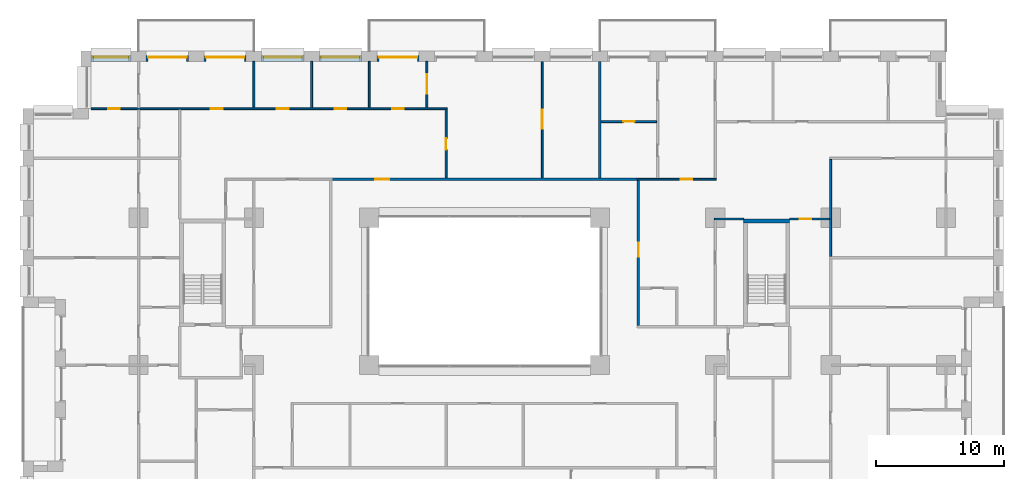
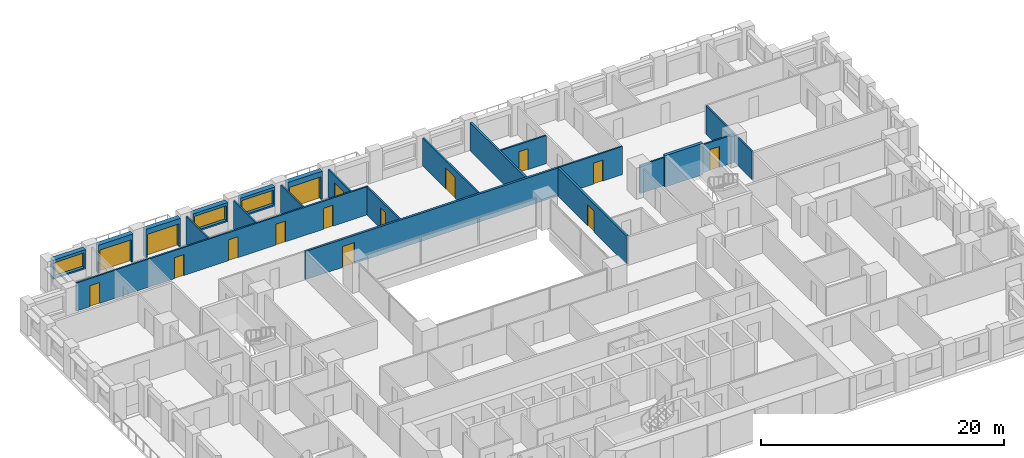
# One storey, part 15 of 20: 22 walls, 16 doors, 3 windows, 19 openings.
"""IFC4 building model written with IfcOpenShell, lengths in metres."""

from ifc_helpers import new_model, si_unit, direction, frame, frame_2d, origin, place, context, subcontext, project, spatial, rectangle, extrude, material, layer, layer_set, type_object, element, fill, save


model = new_model("IFC4")

# Units and contexts
model_context = context("Model", 3, precision=1e-05, world=origin(), true_north=direction((0.0, 1.0)))
body_context = subcontext(model_context, "Body", "Model", "MODEL_VIEW")
ifc_project = project(units=[si_unit("LENGTHUNIT", "METRE"), si_unit("AREAUNIT", "SQUARE_METRE"), si_unit("VOLUMEUNIT", "CUBIC_METRE"), si_unit("PLANEANGLEUNIT", "RADIAN"), si_unit("MASSUNIT", "GRAM", prefix="KILO")], contexts=[model_context])

# Site, building, storey
site_placement = place(None, origin())
site = spatial("IfcSite", under=ifc_project, at=site_placement, CompositionType="ELEMENT")
building_placement = place(site_placement, origin())
building = spatial("IfcBuilding", under=site, at=building_placement, Name="Brigalow Station Residences", CompositionType="ELEMENT")
storey_placement = place(building_placement, frame((0.0, 0.0, 57.300048828125)))
storey = spatial("IfcBuildingStorey", under=building, at=storey_placement, Name="L16", CompositionType="ELEMENT", Elevation=57.300048828125)

# Wall, opening, door
ifc_material_1 = material(Name="Clay brick masonry", Category="masonry")
ifc_layer_1 = layer(ifc_material_1, 0.449951171875)
ifc_layer_set_1 = layer_set([ifc_layer_1], Name="BRICK INFILL WALL 450")
wall_type_1 = type_object("IfcWallType", Name="BRICK INFILL WALL 450", PredefinedType="SOLIDWALL", material=ifc_layer_set_1)
wall_1_placement = place(storey_placement, frame((30.89990234375, 47.925048828125, 0.0), z_axis=(0.0, 0.0, 1.0), x_axis=(-1.0, 0.0, 0.0)))
wall_1 = element("IfcWall", 1, at=wall_1_placement, inside=storey, type_object=wall_type_1, Name="L16/ewall/W-L16-34", PredefinedType="SOLIDWALL", context=body_context, shape_type="SweptSolid", body=[
    extrude(rectangle(XDim=3.2998046875, YDim=0.449951171875, at=frame_2d((1.64990234375, 0.0))), origin(), (0.0, 0.0, 1.0), 2.829833984375),
])
opening_1_placement = place(wall_1_placement, frame((0.14990234375, 0.0, 0.0)))
opening_1 = element("IfcOpeningElement", 2, at=opening_1_placement, cuts=wall_1, Name="Opening D-B3000", PredefinedType="OPENING", context=body_context, shape_type="SweptSolid", body=[
    extrude(rectangle(XDim=3.0, YDim=2.300048828125, at=frame_2d((1.5, 1.14990234375))), frame((0.0, 0.23486328125, 0.0), z_axis=(0.0, -1.0, 0.0), x_axis=(1.0, 0.0, 0.0)), (0.0, 0.0, 1.0), 0.469970703125),
])
ifc_material_2 = material(Name="Anodised aluminium frame with double glazing", Category="aluminium")
door_type_1 = type_object("IfcDoorType", Name="BALCONY SLIDING DOOR 3000x2300", OperationType="SLIDING_TO_LEFT", PredefinedType="DOOR", material=ifc_material_2)
door_1_placement = place(opening_1_placement, origin())
door_1 = element("IfcDoor", 3, at=door_1_placement, inside=storey, type_object=door_type_1, Name="L16/balcony-door/W-L16-34", OperationType="SLIDING_TO_LEFT", OverallHeight=2.300048828125, OverallWidth=3.0, PredefinedType="DOOR", context=body_context, shape_type="SweptSolid", body=[
    extrude(rectangle(XDim=3.0, YDim=2.300048828125, at=frame_2d((1.5, 1.14990234375))), frame((0.0, -0.06982421875, 0.0), z_axis=(0.0, -1.0, 0.0), x_axis=(1.0, 0.0, 0.0)), (0.0, 0.0, 1.0), 0.050048828125),
])
fill(opening_1, door_1)

# Wall, opening, window
wall_2_placement = place(storey_placement, frame((26.39990234375, 47.925048828125, 0.89990234375), z_axis=(0.0, 0.0, 1.0), x_axis=(-1.0, 0.0, 0.0)))
wall_2 = element("IfcWall", 4, at=wall_2_placement, inside=storey, type_object=wall_type_1, Name="L16/ewall/W-L16-35", PredefinedType="SOLIDWALL", context=body_context, shape_type="SweptSolid", body=[
    extrude(rectangle(XDim=3.2998046875, YDim=0.449951171875, at=frame_2d((1.64990234375, 0.0))), origin(), (0.0, 0.0, 1.0), 1.929931640625),
])
opening_2_placement = place(wall_2_placement, frame((0.14990234375, 0.0, 0.14990234375)))
opening_2 = element("IfcOpeningElement", 5, at=opening_2_placement, cuts=wall_2, Name="Opening WT-2", PredefinedType="OPENING", context=body_context, shape_type="SweptSolid", body=[
    extrude(rectangle(XDim=3.0, YDim=1.5, at=frame_2d((1.5, 0.75))), frame((0.0, 0.23486328125, 0.0), z_axis=(0.0, -1.0, 0.0), x_axis=(1.0, 0.0, 0.0)), (0.0, 0.0, 1.0), 0.469970703125),
])
ifc_material_3 = material(Name="Anodised aluminium frame with double glazing", Category="aluminium")
window_type_1 = type_object("IfcWindowType", Name="WINDOW 3000x1500", PartitioningType="SINGLE_PANEL", PredefinedType="WINDOW", material=ifc_material_3)
window_1_placement = place(opening_2_placement, origin())
window_1 = element("IfcWindow", 6, at=window_1_placement, inside=storey, type_object=window_type_1, Name="L16/window/W-L16-35", OverallHeight=1.5, OverallWidth=3.0, PartitioningType="SINGLE_PANEL", PredefinedType="WINDOW", context=body_context, shape_type="SweptSolid", body=[
    extrude(rectangle(XDim=3.0, YDim=1.5, at=frame_2d((1.5, 0.75))), frame((0.0, -0.06494140625, 0.0), z_axis=(0.0, -1.0, 0.0), x_axis=(1.0, 0.0, 0.0)), (0.0, 0.0, 1.0), 0.06005859375),
])
fill(opening_2, window_1)

wall_3_placement = place(storey_placement, frame((21.89990234375, 47.925048828125, 0.89990234375), z_axis=(0.0, 0.0, 1.0), x_axis=(-1.0, 0.0, 0.0)))
wall_3 = element("IfcWall", 7, at=wall_3_placement, inside=storey, type_object=wall_type_1, Name="L16/ewall/W-L16-36", PredefinedType="SOLIDWALL", context=body_context, shape_type="SweptSolid", body=[
    extrude(rectangle(XDim=3.2998046875, YDim=0.449951171875, at=frame_2d((1.64990234375, 0.0))), origin(), (0.0, 0.0, 1.0), 1.929931640625),
])
opening_3_placement = place(wall_3_placement, frame((0.14990234375, 0.0, 0.14990234375)))
opening_3 = element("IfcOpeningElement", 8, at=opening_3_placement, cuts=wall_3, Name="Opening WT-2", PredefinedType="OPENING", context=body_context, shape_type="SweptSolid", body=[
    extrude(rectangle(XDim=3.0, YDim=1.5, at=frame_2d((1.5, 0.75))), frame((0.0, 0.23486328125, 0.0), z_axis=(0.0, -1.0, 0.0), x_axis=(1.0, 0.0, 0.0)), (0.0, 0.0, 1.0), 0.469970703125),
])
window_2_placement = place(opening_3_placement, origin())
window_2 = element("IfcWindow", 9, at=window_2_placement, inside=storey, type_object=window_type_1, Name="L16/window/W-L16-36", OverallHeight=1.5, OverallWidth=3.0, PartitioningType="SINGLE_PANEL", PredefinedType="WINDOW", context=body_context, shape_type="SweptSolid", body=[
    extrude(rectangle(XDim=3.0, YDim=1.5, at=frame_2d((1.5, 0.75))), frame((0.0, -0.06494140625, 0.0), z_axis=(0.0, -1.0, 0.0), x_axis=(1.0, 0.0, 0.0)), (0.0, 0.0, 1.0), 0.06005859375),
])
fill(opening_3, window_2)

# Wall, opening, door
wall_4_placement = place(storey_placement, frame((17.39990234375, 47.925048828125, 0.0), z_axis=(0.0, 0.0, 1.0), x_axis=(-1.0, 0.0, 0.0)))
wall_4 = element("IfcWall", 10, at=wall_4_placement, inside=storey, type_object=wall_type_1, Name="L16/ewall/W-L16-37", PredefinedType="SOLIDWALL", context=body_context, shape_type="SweptSolid", body=[
    extrude(rectangle(XDim=3.2998046875, YDim=0.449951171875, at=frame_2d((1.64990234375, 0.0))), origin(), (0.0, 0.0, 1.0), 2.829833984375),
])
opening_4_placement = place(wall_4_placement, frame((0.14990234375, 0.0, 0.0)))
opening_4 = element("IfcOpeningElement", 11, at=opening_4_placement, cuts=wall_4, Name="Opening D-B3000", PredefinedType="OPENING", context=body_context, shape_type="SweptSolid", body=[
    extrude(rectangle(XDim=3.0, YDim=2.300048828125, at=frame_2d((1.5, 1.14990234375))), frame((0.0, 0.23486328125, 0.0), z_axis=(0.0, -1.0, 0.0), x_axis=(1.0, 0.0, 0.0)), (0.0, 0.0, 1.0), 0.469970703125),
])
door_2_placement = place(opening_4_placement, origin())
door_2 = element("IfcDoor", 12, at=door_2_placement, inside=storey, type_object=door_type_1, Name="L16/balcony-door/W-L16-37", OperationType="SLIDING_TO_LEFT", OverallHeight=2.300048828125, OverallWidth=3.0, PredefinedType="DOOR", context=body_context, shape_type="SweptSolid", body=[
    extrude(rectangle(XDim=3.0, YDim=2.300048828125, at=frame_2d((1.5, 1.14990234375))), frame((0.0, -0.06982421875, 0.0), z_axis=(0.0, -1.0, 0.0), x_axis=(1.0, 0.0, 0.0)), (0.0, 0.0, 1.0), 0.050048828125),
])
fill(opening_4, door_2)

wall_5_placement = place(storey_placement, frame((12.89990234375, 47.925048828125, 0.0), z_axis=(0.0, 0.0, 1.0), x_axis=(-1.0, 0.0, 0.0)))
wall_5 = element("IfcWall", 13, at=wall_5_placement, inside=storey, type_object=wall_type_1, Name="L16/ewall/W-L16-38", PredefinedType="SOLIDWALL", context=body_context, shape_type="SweptSolid", body=[
    extrude(rectangle(XDim=3.2998046875, YDim=0.449951171875, at=frame_2d((1.64990234375, 0.0))), origin(), (0.0, 0.0, 1.0), 2.829833984375),
])
opening_5_placement = place(wall_5_placement, frame((0.14990234375, 0.0, 0.0)))
opening_5 = element("IfcOpeningElement", 14, at=opening_5_placement, cuts=wall_5, Name="Opening D-B3000", PredefinedType="OPENING", context=body_context, shape_type="SweptSolid", body=[
    extrude(rectangle(XDim=3.0, YDim=2.300048828125, at=frame_2d((1.5, 1.14990234375))), frame((0.0, 0.23486328125, 0.0), z_axis=(0.0, -1.0, 0.0), x_axis=(1.0, 0.0, 0.0)), (0.0, 0.0, 1.0), 0.469970703125),
])
door_3_placement = place(opening_5_placement, origin())
door_3 = element("IfcDoor", 15, at=door_3_placement, inside=storey, type_object=door_type_1, Name="L16/balcony-door/W-L16-38", OperationType="SLIDING_TO_LEFT", OverallHeight=2.300048828125, OverallWidth=3.0, PredefinedType="DOOR", context=body_context, shape_type="SweptSolid", body=[
    extrude(rectangle(XDim=3.0, YDim=2.300048828125, at=frame_2d((1.5, 1.14990234375))), frame((0.0, -0.06982421875, 0.0), z_axis=(0.0, -1.0, 0.0), x_axis=(1.0, 0.0, 0.0)), (0.0, 0.0, 1.0), 0.050048828125),
])
fill(opening_5, door_3)

# Wall, opening, window
wall_6_placement = place(storey_placement, frame((8.39990234375, 47.925048828125, 0.89990234375), z_axis=(0.0, 0.0, 1.0), x_axis=(-1.0, 0.0, 0.0)))
wall_6 = element("IfcWall", 16, at=wall_6_placement, inside=storey, type_object=wall_type_1, Name="L16/ewall/W-L16-39", PredefinedType="SOLIDWALL", context=body_context, shape_type="SweptSolid", body=[
    extrude(rectangle(XDim=3.099853515625, YDim=0.449951171875, at=frame_2d((1.5498046875, 0.0))), origin(), (0.0, 0.0, 1.0), 1.929931640625),
])
opening_6_placement = place(wall_6_placement, frame((0.175048828125, 0.0, 0.14990234375)))
opening_6 = element("IfcOpeningElement", 17, at=opening_6_placement, cuts=wall_6, Name="Opening WT-3", PredefinedType="OPENING", context=body_context, shape_type="SweptSolid", body=[
    extrude(rectangle(XDim=2.75, YDim=1.5, at=frame_2d((1.375, 0.75))), frame((0.0, 0.23486328125, 0.0), z_axis=(0.0, -1.0, 0.0), x_axis=(1.0, 0.0, 0.0)), (0.0, 0.0, 1.0), 0.469970703125),
])
ifc_material_4 = material(Name="Anodised aluminium frame with double glazing", Category="aluminium")
window_type_2 = type_object("IfcWindowType", Name="WINDOW 2750x1500", PartitioningType="SINGLE_PANEL", PredefinedType="WINDOW", material=ifc_material_4)
window_3_placement = place(opening_6_placement, origin())
window_3 = element("IfcWindow", 18, at=window_3_placement, inside=storey, type_object=window_type_2, Name="L16/window/W-L16-39", OverallHeight=1.5, OverallWidth=2.75, PartitioningType="SINGLE_PANEL", PredefinedType="WINDOW", context=body_context, shape_type="SweptSolid", body=[
    extrude(rectangle(XDim=2.75, YDim=1.5, at=frame_2d((1.375, 0.75))), frame((0.0, -0.06494140625, 0.0), z_axis=(0.0, -1.0, 0.0), x_axis=(1.0, 0.0, 0.0)), (0.0, 0.0, 1.0), 0.06005859375),
])
fill(opening_6, window_3)

# Wall
ifc_material_5 = material(Name="Concrete C80", Category="concrete")
ifc_layer_2 = layer(ifc_material_5, 0.300048828125)
ifc_layer_set_2 = layer_set([ifc_layer_2], Name="CORE SHEAR WALL 300 C80")
wall_type_2 = type_object("IfcWallType", Name="CORE SHEAR WALL 300 C80", PredefinedType="SHEAR", material=ifc_layer_set_2)
wall_7_placement = place(storey_placement, frame((56.199951171875, 35.25, 0.0), z_axis=(0.0, 0.0, 1.0), x_axis=(1.0, 0.0, 0.0)))
element("IfcWall", 19, at=wall_7_placement, inside=storey, type_object=wall_type_2, Name="CORE WALL ST-S3-N L16", PredefinedType="SHEAR", context=body_context, shape_type="SweptSolid", body=[
    extrude(rectangle(XDim=3.60009765625, YDim=0.300048828125, at=frame_2d((1.800048828125, 0.0))), origin(), (0.0, 0.0, 1.0), 3.14990234375),
])

# Wall, opening, door
ifc_material_6 = material(Name="Plasterboard on steel stud partition", Category="steel")
ifc_layer_3 = layer(ifc_material_6, 0.14990234375)
ifc_layer_set_3 = layer_set([ifc_layer_3], Name="FLAT PARTITION 150")
wall_type_3 = type_object("IfcWallType", Name="FLAT PARTITION 150", PredefinedType="PARTITIONING", material=ifc_layer_set_3)
wall_8_placement = place(storey_placement, frame((47.89990234375, 38.5, 0.0), z_axis=(0.0, 0.0, 1.0), x_axis=(1.0, 0.0, 0.0)))
wall_8 = element("IfcWall", 20, at=wall_8_placement, inside=storey, type_object=wall_type_3, Name="PW-1E09", PredefinedType="PARTITIONING", context=body_context, shape_type="SweptSolid", body=[
    extrude(rectangle(XDim=6.175048828125, YDim=0.14990234375, at=frame_2d((3.08740234375, 0.0))), origin(), (0.0, 0.0, 1.0), 2.829833984375),
])
opening_7_placement = place(wall_8_placement, frame((3.39990234375, 0.0, 0.0)))
opening_7 = element("IfcOpeningElement", 21, at=opening_7_placement, cuts=wall_8, Name="Opening D-1E39", PredefinedType="OPENING", context=body_context, shape_type="SweptSolid", body=[
    extrude(rectangle(XDim=0.89990234375, YDim=2.10009765625, at=frame_2d((0.449951171875, 1.050048828125))), frame((0.0, 0.0849609375, 0.0), z_axis=(0.0, -1.0, 0.0), x_axis=(1.0, 0.0, 0.0)), (0.0, 0.0, 1.0), 0.169921875),
])
ifc_material_7 = material(Name="Solid-core timber door leaf", Category="wood")
door_type_2 = type_object("IfcDoorType", Name="INTERNAL DOOR 900 x 2100", OperationType="SINGLE_SWING_LEFT", PredefinedType="DOOR", material=ifc_material_7)
door_4_placement = place(opening_7_placement, origin())
door_4 = element("IfcDoor", 22, at=door_4_placement, inside=storey, type_object=door_type_2, Name="D-1E39", OperationType="SINGLE_SWING_RIGHT", OverallHeight=2.10009765625, OverallWidth=0.89990234375, PredefinedType="DOOR", context=body_context, shape_type="SweptSolid", body=[
    extrude(rectangle(XDim=0.89990234375, YDim=2.10009765625, at=frame_2d((0.449951171875, 1.050048828125))), frame((0.0, 0.02490234375, 0.0), z_axis=(0.0, -1.0, 0.0), x_axis=(1.0, 0.0, 0.0)), (0.0, 0.0, 1.0), 0.050048828125),
])
fill(opening_7, door_4)

# Wall, openings, doors
wall_9_placement = place(storey_placement, frame((5.300048828125, 44.0, 0.0), z_axis=(0.0, 0.0, 1.0), x_axis=(1.0, 0.0, 0.0)))
wall_9 = element("IfcWall", 23, at=wall_9_placement, inside=storey, type_object=wall_type_3, Name="PW-1E27", PredefinedType="PARTITIONING", context=body_context, shape_type="SweptSolid", body=[
    extrude(rectangle(XDim=27.77490234375, YDim=0.14990234375, at=frame_2d((13.887451171875, 0.0))), origin(), (0.0, 0.0, 1.0), 2.829833984375),
])
opening_8_placement = place(wall_9_placement, frame((14.5, 0.0, 0.0)))
opening_8 = element("IfcOpeningElement", 24, at=opening_8_placement, cuts=wall_9, Name="Opening D-1E22", PredefinedType="OPENING", context=body_context, shape_type="SweptSolid", body=[
    extrude(rectangle(XDim=0.89990234375, YDim=2.10009765625, at=frame_2d((0.449951171875, 1.050048828125))), frame((0.0, 0.0849609375, 0.0), z_axis=(0.0, -1.0, 0.0), x_axis=(1.0, 0.0, 0.0)), (0.0, 0.0, 1.0), 0.169921875),
])
opening_9_placement = place(wall_9_placement, frame((19.0, 0.0, 0.0)))
opening_9 = element("IfcOpeningElement", 25, at=opening_9_placement, cuts=wall_9, Name="Opening D-1E23", PredefinedType="OPENING", context=body_context, shape_type="SweptSolid", body=[
    extrude(rectangle(XDim=0.89990234375, YDim=2.10009765625, at=frame_2d((0.449951171875, 1.050048828125))), frame((0.0, 0.0849609375, 0.0), z_axis=(0.0, -1.0, 0.0), x_axis=(1.0, 0.0, 0.0)), (0.0, 0.0, 1.0), 0.169921875),
])
opening_10_placement = place(wall_9_placement, frame((9.35009765625, 0.0, 0.0)))
opening_10 = element("IfcOpeningElement", 26, at=opening_10_placement, cuts=wall_9, Name="Opening D-1E24", PredefinedType="OPENING", context=body_context, shape_type="SweptSolid", body=[
    extrude(rectangle(XDim=0.89990234375, YDim=2.10009765625, at=frame_2d((0.449951171875, 1.050048828125))), frame((0.0, 0.0849609375, 0.0), z_axis=(0.0, -1.0, 0.0), x_axis=(1.0, 0.0, 0.0)), (0.0, 0.0, 1.0), 0.169921875),
])
opening_11_placement = place(wall_9_placement, frame((23.5, 0.0, 0.0)))
opening_11 = element("IfcOpeningElement", 27, at=opening_11_placement, cuts=wall_9, Name="Opening D-1E31", PredefinedType="OPENING", context=body_context, shape_type="SweptSolid", body=[
    extrude(rectangle(XDim=0.89990234375, YDim=2.10009765625, at=frame_2d((0.449951171875, 1.050048828125))), frame((0.0, 0.0849609375, 0.0), z_axis=(0.0, -1.0, 0.0), x_axis=(1.0, 0.0, 0.0)), (0.0, 0.0, 1.0), 0.169921875),
])
opening_12_placement = place(wall_9_placement, frame((1.324951171875, 0.0, 0.0)))
opening_12 = element("IfcOpeningElement", 28, at=opening_12_placement, cuts=wall_9, Name="Opening D-1E34", PredefinedType="OPENING", context=body_context, shape_type="SweptSolid", body=[
    extrude(rectangle(XDim=0.89990234375, YDim=2.10009765625, at=frame_2d((0.449951171875, 1.050048828125))), frame((0.0, 0.0849609375, 0.0), z_axis=(0.0, -1.0, 0.0), x_axis=(1.0, 0.0, 0.0)), (0.0, 0.0, 1.0), 0.169921875),
])
door_5_placement = place(opening_8_placement, origin())
door_5 = element("IfcDoor", 29, at=door_5_placement, inside=storey, type_object=door_type_2, Name="D-1E22", OperationType="SINGLE_SWING_RIGHT", OverallHeight=2.10009765625, OverallWidth=0.89990234375, PredefinedType="DOOR", context=body_context, shape_type="SweptSolid", body=[
    extrude(rectangle(XDim=0.89990234375, YDim=2.10009765625, at=frame_2d((0.449951171875, 1.050048828125))), frame((0.0, 0.02490234375, 0.0), z_axis=(0.0, -1.0, 0.0), x_axis=(1.0, 0.0, 0.0)), (0.0, 0.0, 1.0), 0.050048828125),
])
fill(opening_8, door_5)
door_6_placement = place(opening_9_placement, origin())
door_6 = element("IfcDoor", 30, at=door_6_placement, inside=storey, type_object=door_type_2, Name="D-1E23", OperationType="SINGLE_SWING_RIGHT", OverallHeight=2.10009765625, OverallWidth=0.89990234375, PredefinedType="DOOR", context=body_context, shape_type="SweptSolid", body=[
    extrude(rectangle(XDim=0.89990234375, YDim=2.10009765625, at=frame_2d((0.449951171875, 1.050048828125))), frame((0.0, 0.02490234375, 0.0), z_axis=(0.0, -1.0, 0.0), x_axis=(1.0, 0.0, 0.0)), (0.0, 0.0, 1.0), 0.050048828125),
])
fill(opening_9, door_6)
door_7_placement = place(opening_10_placement, origin())
door_7 = element("IfcDoor", 31, at=door_7_placement, inside=storey, type_object=door_type_2, Name="D-1E24", OperationType="SINGLE_SWING_RIGHT", OverallHeight=2.10009765625, OverallWidth=0.89990234375, PredefinedType="DOOR", context=body_context, shape_type="SweptSolid", body=[
    extrude(rectangle(XDim=0.89990234375, YDim=2.10009765625, at=frame_2d((0.449951171875, 1.050048828125))), frame((0.0, 0.02490234375, 0.0), z_axis=(0.0, -1.0, 0.0), x_axis=(1.0, 0.0, 0.0)), (0.0, 0.0, 1.0), 0.050048828125),
])
fill(opening_10, door_7)
door_8_placement = place(opening_11_placement, origin())
door_8 = element("IfcDoor", 32, at=door_8_placement, inside=storey, type_object=door_type_2, Name="D-1E31", OperationType="SINGLE_SWING_LEFT", OverallHeight=2.10009765625, OverallWidth=0.89990234375, PredefinedType="DOOR", context=body_context, shape_type="SweptSolid", body=[
    extrude(rectangle(XDim=0.89990234375, YDim=2.10009765625, at=frame_2d((0.449951171875, 1.050048828125))), frame((0.0, 0.02490234375, 0.0), z_axis=(0.0, -1.0, 0.0), x_axis=(1.0, 0.0, 0.0)), (0.0, 0.0, 1.0), 0.050048828125),
])
fill(opening_11, door_8)
door_9_placement = place(opening_12_placement, origin())
door_9 = element("IfcDoor", 33, at=door_9_placement, inside=storey, type_object=door_type_2, Name="D-1E34", OperationType="SINGLE_SWING_LEFT", OverallHeight=2.10009765625, OverallWidth=0.89990234375, PredefinedType="DOOR", context=body_context, shape_type="SweptSolid", body=[
    extrude(rectangle(XDim=0.89990234375, YDim=2.10009765625, at=frame_2d((0.449951171875, 1.050048828125))), frame((0.0, 0.02490234375, 0.0), z_axis=(0.0, -1.0, 0.0), x_axis=(1.0, 0.0, 0.0)), (0.0, 0.0, 1.0), 0.050048828125),
])
fill(opening_12, door_9)

# Wall
wall_10_placement = place(storey_placement, frame((53.925048828125, 35.39990234375, 0.0), z_axis=(0.0, 0.0, 1.0), x_axis=(1.0, 0.0, 0.0)))
element("IfcWall", 34, at=wall_10_placement, inside=storey, type_object=wall_type_3, Name="PW-1E30", PredefinedType="PARTITIONING", context=body_context, shape_type="SweptSolid", body=[
    extrude(rectangle(XDim=2.27490234375, YDim=0.14990234375, at=frame_2d((1.137451171875, 0.0))), origin(), (0.0, 0.0, 1.0), 2.829833984375),
])

# Wall, opening, door
wall_11_placement = place(storey_placement, frame((59.800048828125, 35.39990234375, 0.0), z_axis=(0.0, 0.0, 1.0), x_axis=(1.0, 0.0, 0.0)))
wall_11 = element("IfcWall", 35, at=wall_11_placement, inside=storey, type_object=wall_type_3, Name="PW-1E31", PredefinedType="PARTITIONING", context=body_context, shape_type="SweptSolid", body=[
    extrude(rectangle(XDim=3.125, YDim=0.14990234375, at=frame_2d((1.5625, 0.0))), origin(), (0.0, 0.0, 1.0), 2.829833984375),
])
opening_13_placement = place(wall_11_placement, frame((0.77490234375, 0.0, 0.0)))
opening_13 = element("IfcOpeningElement", 36, at=opening_13_placement, cuts=wall_11, Name="Opening D-1E44", PredefinedType="OPENING", context=body_context, shape_type="SweptSolid", body=[
    extrude(rectangle(XDim=0.89990234375, YDim=2.10009765625, at=frame_2d((0.449951171875, 1.050048828125))), frame((0.0, 0.0849609375, 0.0), z_axis=(0.0, -1.0, 0.0), x_axis=(1.0, 0.0, 0.0)), (0.0, 0.0, 1.0), 0.169921875),
])
door_10_placement = place(opening_13_placement, frame((0.89990234375, 0.0, 0.0), z_axis=(0.0, 0.0, 1.0), x_axis=(-1.0, 0.0, 0.0)))
door_10 = element("IfcDoor", 37, at=door_10_placement, inside=storey, type_object=door_type_2, Name="D-1E44", OperationType="SINGLE_SWING_RIGHT", OverallHeight=2.10009765625, OverallWidth=0.89990234375, PredefinedType="DOOR", context=body_context, shape_type="SweptSolid", body=[
    extrude(rectangle(XDim=0.89990234375, YDim=2.10009765625, at=frame_2d((0.449951171875, 1.050048828125))), frame((0.0, 0.02490234375, 0.0), z_axis=(0.0, -1.0, 0.0), x_axis=(1.0, 0.0, 0.0)), (0.0, 0.0, 1.0), 0.050048828125),
])
fill(opening_13, door_10)

wall_12_placement = place(storey_placement, frame((45.10009765625, 43.0, 0.0), z_axis=(0.0, 0.0, 1.0), x_axis=(1.0, 0.0, 0.0)))
wall_12 = element("IfcWall", 38, at=wall_12_placement, inside=storey, type_object=wall_type_3, Name="PW-1E33", PredefinedType="PARTITIONING", context=body_context, shape_type="SweptSolid", body=[
    extrude(rectangle(XDim=4.324951171875, YDim=0.14990234375, at=frame_2d((2.16259765625, 0.0))), origin(), (0.0, 0.0, 1.0), 2.829833984375),
])
opening_14_placement = place(wall_12_placement, frame((1.699951171875, 0.0, 0.0)))
opening_14 = element("IfcOpeningElement", 39, at=opening_14_placement, cuts=wall_12, Name="Opening D-1E36", PredefinedType="OPENING", context=body_context, shape_type="SweptSolid", body=[
    extrude(rectangle(XDim=0.89990234375, YDim=2.10009765625, at=frame_2d((0.449951171875, 1.050048828125))), frame((0.0, 0.0849609375, 0.0), z_axis=(0.0, -1.0, 0.0), x_axis=(1.0, 0.0, 0.0)), (0.0, 0.0, 1.0), 0.169921875),
])
door_11_placement = place(opening_14_placement, frame((0.89990234375, 0.0, 0.0), z_axis=(0.0, 0.0, 1.0), x_axis=(-1.0, 0.0, 0.0)))
door_11 = element("IfcDoor", 40, at=door_11_placement, inside=storey, type_object=door_type_2, Name="D-1E36", OperationType="SINGLE_SWING_RIGHT", OverallHeight=2.10009765625, OverallWidth=0.89990234375, PredefinedType="DOOR", context=body_context, shape_type="SweptSolid", body=[
    extrude(rectangle(XDim=0.89990234375, YDim=2.10009765625, at=frame_2d((0.449951171875, 1.050048828125))), frame((0.0, 0.02490234375, 0.0), z_axis=(0.0, -1.0, 0.0), x_axis=(1.0, 0.0, 0.0)), (0.0, 0.0, 1.0), 0.050048828125),
])
fill(opening_14, door_11)

# Wall
wall_13_placement = place(storey_placement, frame((18.0, 44.074951171875, 0.0), z_axis=(0.0, 0.0, 1.0), x_axis=(0.0, 1.0, 0.0)))
element("IfcWall", 41, at=wall_13_placement, inside=storey, type_object=wall_type_3, Name="PW-1E38", PredefinedType="PARTITIONING", context=body_context, shape_type="SweptSolid", body=[
    extrude(rectangle(XDim=3.625, YDim=0.14990234375, at=frame_2d((1.8125, 0.0))), origin(), (0.0, 0.0, 1.0), 2.829833984375),
])

# Wall, opening, door
wall_14_placement = place(storey_placement, frame((33.0, 38.60009765625, 0.0), z_axis=(0.0, 0.0, 1.0), x_axis=(0.0, 1.0, 0.0)))
wall_14 = element("IfcWall", 42, at=wall_14_placement, inside=storey, type_object=wall_type_3, Name="PW-1E61", PredefinedType="PARTITIONING", context=body_context, shape_type="SweptSolid", body=[
    extrude(rectangle(XDim=5.324951171875, YDim=0.14990234375, at=frame_2d((2.66259765625, 0.0))), origin(), (0.0, 0.0, 1.0), 2.829833984375),
])
opening_15_placement = place(wall_14_placement, frame((2.199951171875, 0.0, 0.0)))
opening_15 = element("IfcOpeningElement", 43, at=opening_15_placement, cuts=wall_14, Name="Opening D-1E27", PredefinedType="OPENING", context=body_context, shape_type="SweptSolid", body=[
    extrude(rectangle(XDim=0.89990234375, YDim=2.10009765625, at=frame_2d((0.449951171875, 1.050048828125))), frame((0.0, 0.0849609375, 0.0), z_axis=(0.0, -1.0, 0.0), x_axis=(1.0, 0.0, 0.0)), (0.0, 0.0, 1.0), 0.169921875),
])
door_12_placement = place(opening_15_placement, frame((0.89990234375, 0.0, 0.0), z_axis=(0.0, 0.0, 1.0), x_axis=(-1.0, 0.0, 0.0)))
door_12 = element("IfcDoor", 44, at=door_12_placement, inside=storey, type_object=door_type_2, Name="D-1E27", OperationType="SINGLE_SWING_RIGHT", OverallHeight=2.10009765625, OverallWidth=0.89990234375, PredefinedType="DOOR", context=body_context, shape_type="SweptSolid", body=[
    extrude(rectangle(XDim=0.89990234375, YDim=2.10009765625, at=frame_2d((0.449951171875, 1.050048828125))), frame((0.0, 0.02490234375, 0.0), z_axis=(0.0, -1.0, 0.0), x_axis=(1.0, 0.0, 0.0)), (0.0, 0.0, 1.0), 0.050048828125),
])
fill(opening_15, door_12)

# Walls
for number, where, z_axis, x_axis, name in (
    (45, (22.5, 44.074951171875, 0.0), (0.0, 0.0, 1.0), (0.0, 1.0, 0.0), "PW-1E63"),
    (46, (27.0, 44.074951171875, 0.0), (0.0, 0.0, 1.0), (0.0, 1.0, 0.0), "PW-1E64"),
):
    element("IfcWall", number, at=place(storey_placement, frame(where, z_axis=z_axis, x_axis=x_axis)), inside=storey, type_object=wall_type_3, Name=name, PredefinedType="PARTITIONING", context=body_context, shape_type="SweptSolid", body=[
        extrude(rectangle(XDim=3.625, YDim=0.14990234375, at=frame_2d((1.8125, 0.0))), origin(), (0.0, 0.0, 1.0), 2.829833984375),
    ])

# Wall, opening, door
wall_15_placement = place(storey_placement, frame((31.5, 44.074951171875, 0.0), z_axis=(0.0, 0.0, 1.0), x_axis=(0.0, 1.0, 0.0)))
wall_15 = element("IfcWall", 47, at=wall_15_placement, inside=storey, type_object=wall_type_3, Name="PW-1E65", PredefinedType="PARTITIONING", context=body_context, shape_type="SweptSolid", body=[
    extrude(rectangle(XDim=3.625, YDim=0.14990234375, at=frame_2d((1.8125, 0.0))), origin(), (0.0, 0.0, 1.0), 2.829833984375),
])
opening_16_placement = place(wall_15_placement, frame((1.10009765625, 0.0, 0.0)))
opening_16 = element("IfcOpeningElement", 48, at=opening_16_placement, cuts=wall_15, Name="Opening D-1E28", PredefinedType="OPENING", context=body_context, shape_type="SweptSolid", body=[
    extrude(rectangle(XDim=1.5, YDim=2.10009765625, at=frame_2d((0.75, 1.050048828125))), frame((0.0, 0.0849609375, 0.0), z_axis=(0.0, -1.0, 0.0), x_axis=(1.0, 0.0, 0.0)), (0.0, 0.0, 1.0), 0.169921875),
])
ifc_material_8 = material(Name="Solid-core timber door leaf", Category="wood")
door_type_3 = type_object("IfcDoorType", Name="INTERNAL DOUBLE DOOR 1500 x 2100", OperationType="DOUBLE_DOOR_SINGLE_SWING", PredefinedType="DOOR", material=ifc_material_8)
door_13_placement = place(opening_16_placement, origin())
door_13 = element("IfcDoor", 49, at=door_13_placement, inside=storey, type_object=door_type_3, Name="D-1E28", OperationType="DOUBLE_DOOR_SINGLE_SWING", OverallHeight=2.10009765625, OverallWidth=1.5, PredefinedType="DOOR", context=body_context, shape_type="SweptSolid", body=[
    extrude(rectangle(XDim=1.5, YDim=2.10009765625, at=frame_2d((0.75, 1.050048828125))), frame((0.0, 0.02490234375, 0.0), z_axis=(0.0, -1.0, 0.0), x_axis=(1.0, 0.0, 0.0)), (0.0, 0.0, 1.0), 0.050048828125),
])
fill(opening_16, door_13)

wall_16_placement = place(storey_placement, frame((40.5, 38.60009765625, 0.0), z_axis=(0.0, 0.0, 1.0), x_axis=(0.0, 1.0, 0.0)))
wall_16 = element("IfcWall", 50, at=wall_16_placement, inside=storey, type_object=wall_type_3, Name="PW-1E66", PredefinedType="PARTITIONING", context=body_context, shape_type="SweptSolid", body=[
    extrude(rectangle(XDim=9.099853515625, YDim=0.14990234375, at=frame_2d((4.5498046875, 0.0))), origin(), (0.0, 0.0, 1.0), 2.829833984375),
])
opening_17_placement = place(wall_16_placement, frame((3.824951171875, 0.0, 0.0)))
opening_17 = element("IfcOpeningElement", 51, at=opening_17_placement, cuts=wall_16, Name="Opening D-1E29", PredefinedType="OPENING", context=body_context, shape_type="SweptSolid", body=[
    extrude(rectangle(XDim=1.5, YDim=2.10009765625, at=frame_2d((0.75, 1.050048828125))), frame((0.0, 0.0849609375, 0.0), z_axis=(0.0, -1.0, 0.0), x_axis=(1.0, 0.0, 0.0)), (0.0, 0.0, 1.0), 0.169921875),
])
door_14_placement = place(opening_17_placement, frame((1.5, 0.0, 0.0), z_axis=(0.0, 0.0, 1.0), x_axis=(-1.0, 0.0, 0.0)))
door_14 = element("IfcDoor", 52, at=door_14_placement, inside=storey, type_object=door_type_3, Name="D-1E29", OperationType="DOUBLE_DOOR_SINGLE_SWING", OverallHeight=2.10009765625, OverallWidth=1.5, PredefinedType="DOOR", context=body_context, shape_type="SweptSolid", body=[
    extrude(rectangle(XDim=1.5, YDim=2.10009765625, at=frame_2d((0.75, 1.050048828125))), frame((0.0, 0.02490234375, 0.0), z_axis=(0.0, -1.0, 0.0), x_axis=(1.0, 0.0, 0.0)), (0.0, 0.0, 1.0), 0.050048828125),
])
fill(opening_17, door_14)

# Wall
wall_17_placement = place(storey_placement, frame((63.0, 32.47509765625, 0.0), z_axis=(0.0, 0.0, 1.0), x_axis=(0.0, 1.0, 0.0)))
element("IfcWall", 53, at=wall_17_placement, inside=storey, type_object=wall_type_3, Name="PW-1E70", PredefinedType="PARTITIONING", context=body_context, shape_type="SweptSolid", body=[
    extrude(rectangle(XDim=7.574951171875, YDim=0.14990234375, at=frame_2d((3.78759765625, 0.0))), origin(), (0.0, 0.0, 1.0), 2.829833984375),
])

# Wall, opening, door
ifc_material_9 = material(Name="Plasterboard on steel stud partition", Category="steel")
ifc_layer_4 = layer(ifc_material_9, 0.199951171875)
ifc_layer_set_4 = layer_set([ifc_layer_4], Name="PARTY AND CORRIDOR WALL 200")
wall_type_4 = type_object("IfcWallType", Name="PARTY AND CORRIDOR WALL 200", PredefinedType="PARTITIONING", material=ifc_layer_set_4)
wall_18_placement = place(storey_placement, frame((23.89990234375, 38.5, 0.0), z_axis=(0.0, 0.0, 1.0), x_axis=(1.0, 0.0, 0.0)))
wall_18 = element("IfcWall", 54, at=wall_18_placement, inside=storey, type_object=wall_type_4, Name="PW-1E10", PredefinedType="PARTITIONING", context=body_context, shape_type="SweptSolid", body=[
    extrude(rectangle(XDim=24.2001953125, YDim=0.199951171875, at=frame_2d((12.10009765625, 0.0))), origin(), (0.0, 0.0, 1.0), 2.829833984375),
])
opening_18_placement = place(wall_18_placement, frame((3.550048828125, 0.0, 0.0)))
opening_18 = element("IfcOpeningElement", 55, at=opening_18_placement, cuts=wall_18, Name="Opening D-1E35", PredefinedType="OPENING", context=body_context, shape_type="SweptSolid", body=[
    extrude(rectangle(XDim=1.10009765625, YDim=2.10009765625, at=frame_2d((0.550048828125, 1.050048828125))), frame((0.0, 0.10986328125, 0.0), z_axis=(0.0, -1.0, 0.0), x_axis=(1.0, 0.0, 0.0)), (0.0, 0.0, 1.0), 0.219970703125),
])
ifc_material_10 = material(Name="Solid-core timber door leaf", Category="wood")
door_type_4 = type_object("IfcDoorType", Name="FLAT ENTRANCE DOOR 1100 x 2100 FRL -/60/30", OperationType="SINGLE_SWING_LEFT", PredefinedType="DOOR", material=ifc_material_10)
door_15_placement = place(opening_18_placement, origin())
door_15 = element("IfcDoor", 56, at=door_15_placement, inside=storey, type_object=door_type_4, Name="D-1E35", OperationType="SINGLE_SWING_RIGHT", OverallHeight=2.10009765625, OverallWidth=1.10009765625, PredefinedType="DOOR", context=body_context, shape_type="SweptSolid", body=[
    extrude(rectangle(XDim=1.10009765625, YDim=2.10009765625, at=frame_2d((0.550048828125, 1.050048828125))), frame((0.0, 0.02490234375, 0.0), z_axis=(0.0, -1.0, 0.0), x_axis=(1.0, 0.0, 0.0)), (0.0, 0.0, 1.0), 0.050048828125),
])
fill(opening_18, door_15)

wall_19_placement = place(storey_placement, frame((48.0, 27.10009765625, 0.0), z_axis=(0.0, 0.0, 1.0), x_axis=(0.0, 1.0, 0.0)))
wall_19 = element("IfcWall", 57, at=wall_19_placement, inside=storey, type_object=wall_type_4, Name="PW-1E47", PredefinedType="PARTITIONING", context=body_context, shape_type="SweptSolid", body=[
    extrude(rectangle(XDim=11.324951171875, YDim=0.199951171875, at=frame_2d((5.66259765625, 0.0))), origin(), (0.0, 0.0, 1.0), 2.829833984375),
])
opening_19_placement = place(wall_19_placement, frame((5.35009765625, 0.0, 0.0)))
opening_19 = element("IfcOpeningElement", 58, at=opening_19_placement, cuts=wall_19, Name="Opening D-1E50", PredefinedType="OPENING", context=body_context, shape_type="SweptSolid", body=[
    extrude(rectangle(XDim=1.10009765625, YDim=2.10009765625, at=frame_2d((0.550048828125, 1.050048828125))), frame((0.0, 0.10986328125, 0.0), z_axis=(0.0, -1.0, 0.0), x_axis=(1.0, 0.0, 0.0)), (0.0, 0.0, 1.0), 0.219970703125),
])
door_16_placement = place(opening_19_placement, frame((1.10009765625, 0.0, 0.0), z_axis=(0.0, 0.0, 1.0), x_axis=(-1.0, 0.0, 0.0)))
door_16 = element("IfcDoor", 59, at=door_16_placement, inside=storey, type_object=door_type_4, Name="D-1E50", OperationType="SINGLE_SWING_RIGHT", OverallHeight=2.10009765625, OverallWidth=1.10009765625, PredefinedType="DOOR", context=body_context, shape_type="SweptSolid", body=[
    extrude(rectangle(XDim=1.10009765625, YDim=2.10009765625, at=frame_2d((0.550048828125, 1.050048828125))), frame((0.0, 0.02490234375, 0.0), z_axis=(0.0, -1.0, 0.0), x_axis=(1.0, 0.0, 0.0)), (0.0, 0.0, 1.0), 0.050048828125),
])
fill(opening_19, door_16)

# Wall
wall_20_placement = place(storey_placement, frame((45.0, 38.60009765625, 0.0), z_axis=(0.0, 0.0, 1.0), x_axis=(0.0, 1.0, 0.0)))
element("IfcWall", 60, at=wall_20_placement, inside=storey, type_object=wall_type_4, Name="PW-1E67", PredefinedType="PARTITIONING", context=body_context, shape_type="SweptSolid", body=[
    extrude(rectangle(XDim=9.099853515625, YDim=0.199951171875, at=frame_2d((4.5498046875, 0.0))), origin(), (0.0, 0.0, 1.0), 2.829833984375),
])

save(model, "model.ifc")
